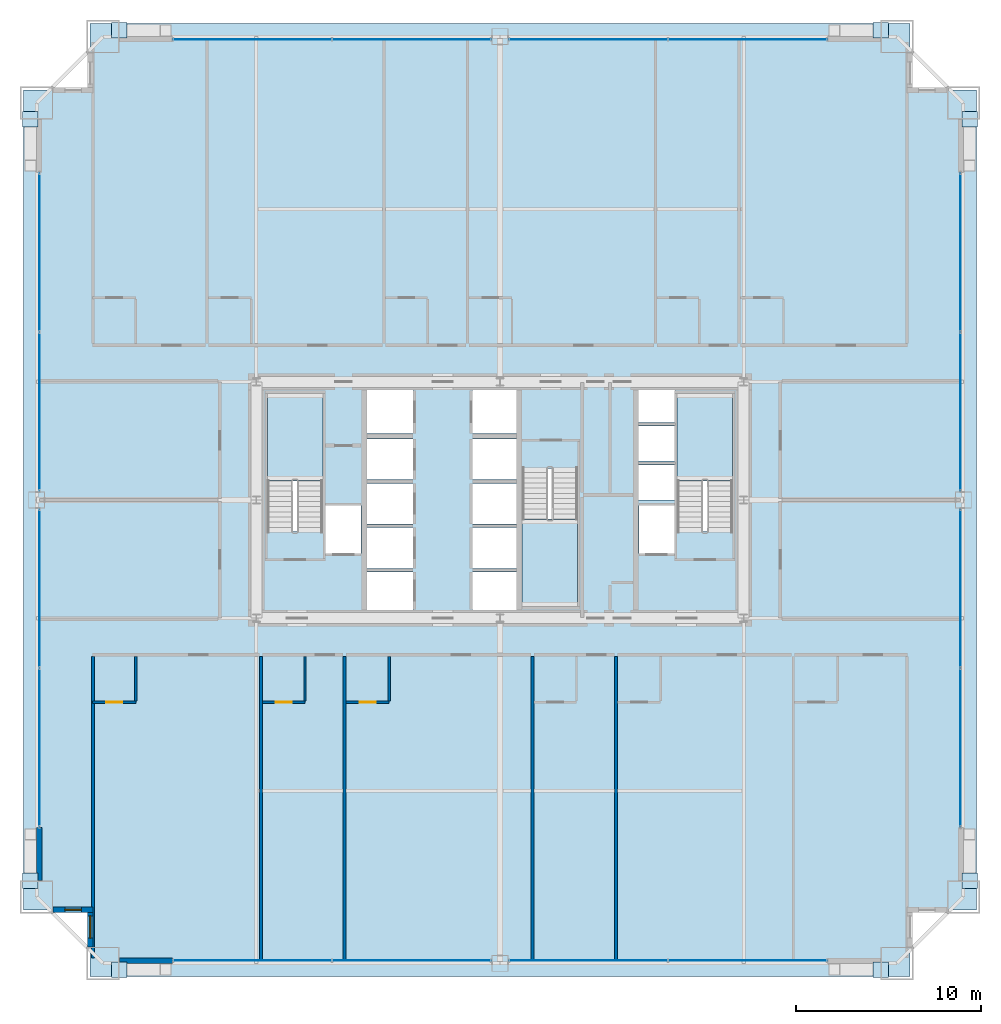
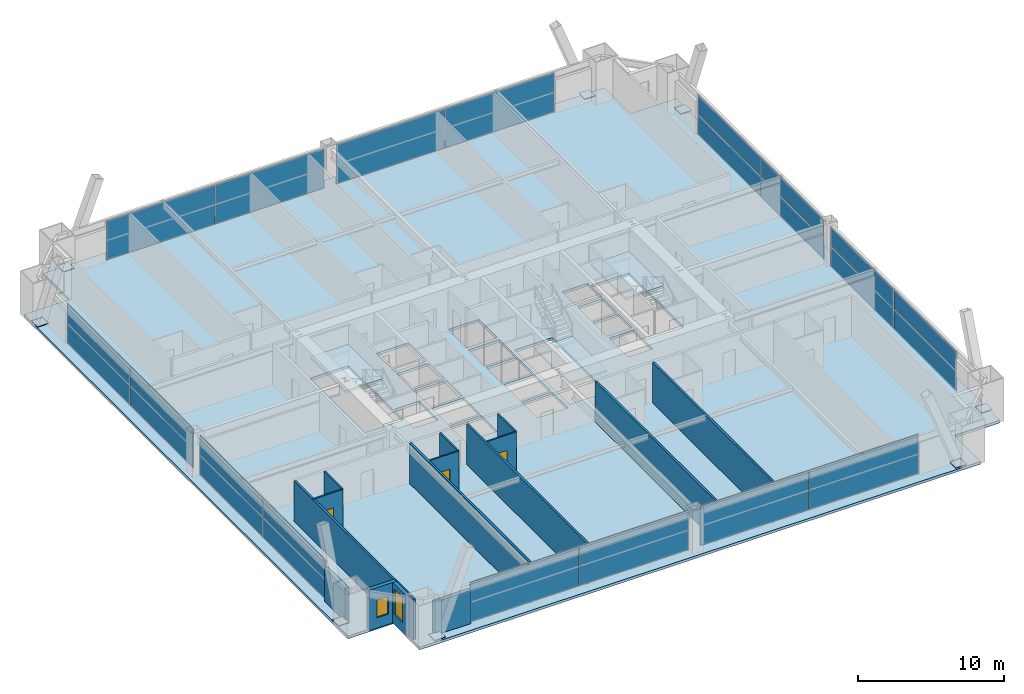
# One storey, part 38 of 43: 24 plates, 15 walls, 4 slabs, 3 doors, 2 windows, 5 openings, 11 elements without a shape of their own.
"""IFC4 building model written with IfcOpenShell, lengths in metres."""

from ifc_helpers import new_model, si_unit, direction, frame, frame_2d, origin, origin_2d, place, context, subcontext, project, spatial, polyline, rectangle, outline, extrude, source, transform, mapped, material, layer, layer_set, type_object, element, fill, aggregate, save


model = new_model("IFC4")

# Units and contexts
model_context = context("Model", 3, precision=1e-05, world=origin(), true_north=direction((0.0, 1.0)))
body_context = subcontext(model_context, "Body", "Model", "MODEL_VIEW")
ifc_project = project(units=[si_unit("LENGTHUNIT", "METRE"), si_unit("AREAUNIT", "SQUARE_METRE"), si_unit("VOLUMEUNIT", "CUBIC_METRE"), si_unit("PLANEANGLEUNIT", "RADIAN"), si_unit("MASSUNIT", "GRAM", prefix="KILO"), si_unit("THERMODYNAMICTEMPERATUREUNIT", "KELVIN"), si_unit("POWERUNIT", "WATT")], contexts=[model_context])

# Site, building, storey
site_placement = place(None, origin())
site = spatial("IfcSite", under=ifc_project, at=site_placement, CompositionType="ELEMENT")
building_placement = place(site_placement, origin())
building = spatial("IfcBuilding", under=site, at=building_placement, Name="Yuzanri Waterfront Tower", CompositionType="ELEMENT")
storey_placement = place(building_placement, frame((0.0, 0.0, 74.800048828125)))
storey = spatial("IfcBuildingStorey", under=building, at=storey_placement, Name="L19", CompositionType="ELEMENT", Elevation=74.800048828125)

# Stair, slab
ifc_material_1 = material(Name="Concrete C40", Category="concrete")
stair_type = type_object("IfcStairType", Name="Concrete C40 Core Dogleg Exit Stair", PredefinedType="HALF_TURN_STAIR", material=ifc_material_1)
stair_1_placement = place(storey_placement, origin())
stair_1 = element("IfcStair", 1, at=stair_1_placement, inside=storey, type_object=stair_type, Name="L19 Smoke-Proof Core Stair ST-01", PredefinedType="HALF_TURN_STAIR")
ifc_material_2 = material(Name="Concrete C40", Category="concrete")
ifc_layer_1 = layer(ifc_material_2, 0.179931640625)
ifc_layer_set_1 = layer_set([ifc_layer_1], Name="Concrete C40")
slab_type_1 = type_object("IfcSlabType", Name="Concrete C40 Stair Half-Landing Slab 180", PredefinedType="LANDING", material=ifc_layer_set_1)
slab_1_placement = place(storey_placement, frame((0.0, 0.0, 1.599853515625)))
slab_1 = element("IfcSlab", 2, at=slab_1_placement, type_object=slab_type_1, Name="ST-01 landing 1", PredefinedType="LANDING", context=body_context, shape_type="SweptSolid", body=[
    extrude(outline(polyline([(27.39990234375, 26.840087890625), (27.39990234375, 31.580078125), (24.39990234375, 31.580078125), (24.39990234375, 26.840087890625), (27.39990234375, 26.840087890625)])), origin(), (0.0, 0.0, 1.0), 0.2001953125),
])
aggregate(stair_1, [slab_1])

stair_2_placement = place(storey_placement, origin())
stair_2 = element("IfcStair", 3, at=stair_2_placement, inside=storey, type_object=stair_type, Name="L19 Smoke-Proof Core Stair ST-02", PredefinedType="HALF_TURN_STAIR")
slab_2_placement = place(storey_placement, frame((0.0, 0.0, 1.599853515625)))
slab_2 = element("IfcSlab", 4, at=slab_2_placement, type_object=slab_type_1, Name="ST-02 landing 1", PredefinedType="LANDING", context=body_context, shape_type="SweptSolid", body=[
    extrude(outline(polyline([(49.60009765625, 26.840087890625), (49.60009765625, 31.580078125), (46.60009765625, 31.580078125), (46.60009765625, 26.840087890625), (49.60009765625, 26.840087890625)])), origin(), (0.0, 0.0, 1.0), 0.2001953125),
])
aggregate(stair_2, [slab_2])

stair_3_placement = place(storey_placement, origin())
stair_3 = element("IfcStair", 5, at=stair_3_placement, inside=storey, type_object=stair_type, Name="L19 Smoke-Proof Core Stair ST-03", PredefinedType="HALF_TURN_STAIR")
slab_3_placement = place(storey_placement, frame((0.0, 0.0, 1.599853515625)))
slab_3 = element("IfcSlab", 6, at=slab_3_placement, type_object=slab_type_1, Name="ST-03 landing 1", PredefinedType="LANDING", context=body_context, shape_type="SweptSolid", body=[
    extrude(outline(polyline([(38.199951171875, 24.760009765625), (38.199951171875, 20.02001953125), (41.199951171875, 20.02001953125), (41.199951171875, 24.760009765625), (38.199951171875, 24.760009765625)])), origin(), (0.0, 0.0, 1.0), 0.2001953125),
])
aggregate(stair_3, [slab_3])

# Slab
ifc_material_3 = material(Name="Concrete C40", Category="concrete")
ifc_layer_2 = layer(ifc_material_3, 0.219970703125)
ifc_layer_set_2 = layer_set([ifc_layer_2], Name="Concrete C40")
slab_type_2 = type_object("IfcSlabType", Name="Concrete C40 Tower Typical Structural Floor Slab 220", PredefinedType="FLOOR", material=ifc_layer_set_2)
slab_4_placement = place(storey_placement, frame((0.0, 0.0, -0.219970703125)))
element("IfcSlab", 7, at=slab_4_placement, inside=storey, type_object=slab_type_2, Name="L19 Main Structural Floor Slab", PredefinedType="FLOOR", context=body_context, shape_type="SweptSolid", body=[
    extrude(outline(polyline([(14.800048828125, 0.0), (59.199951171875, 0.0), (59.199951171875, 3.60009765625), (62.800048828125, 3.60009765625), (62.800048828125, 48.0), (59.199951171875, 48.0), (59.199951171875, 51.60009765625), (14.800048828125, 51.60009765625), (14.800048828125, 48.0), (11.199951171875, 48.0), (11.199951171875, 3.60009765625), (14.800048828125, 3.60009765625), (14.800048828125, 0.0)]), holes=[polyline([(27.39990234375, 24.10009765625), (27.39990234375, 31.580078125), (24.39990234375, 31.580078125), (24.39990234375, 24.10009765625), (27.39990234375, 24.10009765625)]), polyline([(49.60009765625, 24.10009765625), (49.60009765625, 31.580078125), (46.60009765625, 31.580078125), (46.60009765625, 24.10009765625), (49.60009765625, 24.10009765625)]), polyline([(38.199951171875, 27.5), (38.199951171875, 20.02001953125), (41.199951171875, 20.02001953125), (41.199951171875, 27.5), (38.199951171875, 27.5)]), polyline([(27.56005859375, 22.89990234375), (29.47998046875, 22.89990234375), (29.47998046875, 25.5), (27.56005859375, 25.5), (27.56005859375, 22.89990234375)]), polyline([(44.52001953125, 22.89990234375), (46.43994140625, 22.89990234375), (46.43994140625, 25.5), (44.52001953125, 25.5), (44.52001953125, 22.89990234375)]), polyline([(29.800048828125, 19.699951171875), (32.300048828125, 19.699951171875), (32.300048828125, 21.89990234375), (29.800048828125, 21.89990234375), (29.800048828125, 19.699951171875)]), polyline([(29.800048828125, 22.10009765625), (32.300048828125, 22.10009765625), (32.300048828125, 24.300048828125), (29.800048828125, 24.300048828125), (29.800048828125, 22.10009765625)]), polyline([(29.800048828125, 24.5), (32.300048828125, 24.5), (32.300048828125, 26.699951171875), (29.800048828125, 26.699951171875), (29.800048828125, 24.5)]), polyline([(29.800048828125, 26.89990234375), (32.300048828125, 26.89990234375), (32.300048828125, 29.10009765625), (29.800048828125, 29.10009765625), (29.800048828125, 26.89990234375)]), polyline([(29.800048828125, 29.39990234375), (32.300048828125, 29.39990234375), (32.300048828125, 31.89990234375), (29.800048828125, 31.89990234375), (29.800048828125, 29.39990234375)]), polyline([(35.5, 19.699951171875), (37.89990234375, 19.699951171875), (37.89990234375, 21.89990234375), (35.5, 21.89990234375), (35.5, 19.699951171875)]), polyline([(35.5, 22.10009765625), (37.89990234375, 22.10009765625), (37.89990234375, 24.300048828125), (35.5, 24.300048828125), (35.5, 22.10009765625)]), polyline([(35.5, 24.5), (37.89990234375, 24.5), (37.89990234375, 26.699951171875), (35.5, 26.699951171875), (35.5, 24.5)]), polyline([(35.5, 26.89990234375), (37.89990234375, 26.89990234375), (37.89990234375, 29.10009765625), (35.5, 29.10009765625), (35.5, 26.89990234375)]), polyline([(35.5, 29.39990234375), (37.89990234375, 29.39990234375), (37.89990234375, 31.89990234375), (35.5, 31.89990234375), (35.5, 29.39990234375)]), polyline([(44.5, 25.800048828125), (46.5, 25.800048828125), (46.5, 27.699951171875), (44.5, 27.699951171875), (44.5, 25.800048828125)]), polyline([(44.5, 27.89990234375), (46.5, 27.89990234375), (46.5, 29.800048828125), (44.5, 29.800048828125), (44.5, 27.89990234375)]), polyline([(44.5, 30.0), (46.5, 30.0), (46.5, 31.89990234375), (44.5, 31.89990234375), (44.5, 30.0)])]), origin(), (0.0, 0.0, 1.0), 0.219970703125),
])

# Plates
ifc_material_4 = material(Name="Steel Q420GJC", Category="steel")
ifc_layer_3 = layer(ifc_material_4, 0.0400390625)
ifc_layer_set_3 = layer_set([ifc_layer_3], Name="Steel Q420GJC")
plate_type_1 = type_object("IfcPlateType", Name="Steel Q420GJC Mega-Brace Gusset and End-Cap Plate 40", PredefinedType="SHEET", material=ifc_layer_set_3)
shared_shape_1 = source(origin(), body_context, "Body", "SweptSolid", [
    extrude(rectangle(XDim=0.85009765625, YDim=0.85009765625, at=origin_2d()), origin(), (0.0, 0.0, 1.0), 0.0400390625),
])
for number, where, z_axis, x_axis, name in (
    (8, (16.3798828125, 0.360107421875, 0.159912109375), (0.0, 0.0, 1.0), (1.0, 0.0, 0.0), "L19 Mega-Brace Foot Cap Plate S-L"),
    (9, (57.6201171875, 0.360107421875, 0.159912109375), (0.0, 0.0, 1.0), (1.0, 0.0, 0.0), "L19 Mega-Brace Foot Cap Plate S-R"),
    (10, (16.3798828125, 51.239990234375, 0.159912109375), (0.0, 0.0, 1.0), (1.0, 0.0, 0.0), "L19 Mega-Brace Foot Cap Plate N-L"),
    (11, (57.6201171875, 51.239990234375, 0.159912109375), (0.0, 0.0, 1.0), (1.0, 0.0, 0.0), "L19 Mega-Brace Foot Cap Plate N-R"),
    (12, (11.56005859375, 5.179931640625, 0.159912109375), (0.0, 0.0, 1.0), (1.0, 0.0, 0.0), "L19 Mega-Brace Foot Cap Plate W-L"),
    (13, (11.56005859375, 46.419921875, 0.159912109375), (0.0, 0.0, 1.0), (1.0, 0.0, 0.0), "L19 Mega-Brace Foot Cap Plate W-R"),
    (14, (62.43994140625, 5.179931640625, 0.159912109375), (0.0, 0.0, 1.0), (1.0, 0.0, 0.0), "L19 Mega-Brace Foot Cap Plate E-L"),
    (15, (62.43994140625, 46.419921875, 0.159912109375), (0.0, 0.0, 1.0), (1.0, 0.0, 0.0), "L19 Mega-Brace Foot Cap Plate E-R"),
):
    element("IfcPlate", number, at=place(storey_placement, frame(where, z_axis=z_axis, x_axis=x_axis)), inside=storey, type_object=plate_type_1, Name=name, PredefinedType="SHEET", context=body_context, shape_type="MappedRepresentation", body=[
        mapped(shared_shape_1, transform((0.0, 0.0, 0.0), scale=1.0)),
    ])

# Curtain wall, plates
ifc_material_5 = material(Name="Anodized Architectural Bronze", Category="metal")
ifc_layer_4 = layer(ifc_material_5, 0.159912109375)
ifc_layer_set_4 = layer_set([ifc_layer_4], Name="Anodized Architectural Bronze")
curtain_wall_type = type_object("IfcCurtainWallType", Name="Anodized Bronze Hotel Lower-Tier Recessed Unitized Curtain Wall 8100", PredefinedType="NOTDEFINED", material=ifc_layer_set_4)
curtain_wall_1_placement = place(storey_placement, origin())
curtain_wall_1 = element("IfcCurtainWall", 16, at=curtain_wall_1_placement, inside=storey, type_object=curtain_wall_type, Name="L19 Curtain Wall CW-L19-SL", PredefinedType="NOTDEFINED")
ifc_material_6 = material(Name="Double-Silver Low-E Insulated Glass", Category="glass")
ifc_layer_5 = layer(ifc_material_6, 0.035888671875)
ifc_layer_set_5 = layer_set([ifc_layer_5], Name="Double-Silver Low-E Insulated Glass")
plate_type_2 = type_object("IfcPlateType", Name="Double Silver Low-E Insulated Vision Glass Panel 36", PredefinedType="CURTAIN_PANEL", material=ifc_layer_set_5)
shared_shape_2 = source(origin(), body_context, "Body", "SweptSolid", [
    extrude(rectangle(XDim=8.570068359375, YDim=0.035888671875, at=origin_2d()), origin(), (0.0, 0.0, 1.0), 3.280029296875),
])
plate_1_placement = place(storey_placement, frame((23.574951171875, 0.85009765625, 0.0498046875), z_axis=(0.0, 0.0, 1.0), x_axis=(1.0, 0.0, 0.0)))
plate_1 = element("IfcPlate", 17, at=plate_1_placement, type_object=plate_type_2, Name="CW-L19-SL Vision Glass Panel 01", PredefinedType="CURTAIN_PANEL", context=body_context, shape_type="MappedRepresentation", body=[
    mapped(shared_shape_2, transform((0.0, 0.0, 0.0), scale=1.0)),
])
plate_2_placement = place(storey_placement, frame((32.22509765625, 0.85009765625, 0.0498046875), z_axis=(0.0, 0.0, 1.0), x_axis=(1.0, 0.0, 0.0)))
plate_2 = element("IfcPlate", 18, at=plate_2_placement, type_object=plate_type_2, Name="CW-L19-SL Vision Glass Panel 02", PredefinedType="CURTAIN_PANEL", context=body_context, shape_type="MappedRepresentation", body=[
    mapped(shared_shape_2, transform((0.0, 0.0, 0.0), scale=1.0)),
])
aggregate(curtain_wall_1, [plate_1, plate_2])

curtain_wall_2_placement = place(storey_placement, origin())
curtain_wall_2 = element("IfcCurtainWall", 19, at=curtain_wall_2_placement, inside=storey, type_object=curtain_wall_type, Name="L19 Curtain Wall CW-L19-SR", PredefinedType="NOTDEFINED")
plate_3_placement = place(storey_placement, frame((41.77490234375, 0.85009765625, 0.0498046875), z_axis=(0.0, 0.0, 1.0), x_axis=(1.0, 0.0, 0.0)))
plate_3 = element("IfcPlate", 20, at=plate_3_placement, type_object=plate_type_2, Name="CW-L19-SR Vision Glass Panel 01", PredefinedType="CURTAIN_PANEL", context=body_context, shape_type="MappedRepresentation", body=[
    mapped(shared_shape_2, transform((0.0, 0.0, 0.0), scale=1.0)),
])
plate_4_placement = place(storey_placement, frame((50.425048828125, 0.85009765625, 0.0498046875), z_axis=(0.0, 0.0, 1.0), x_axis=(1.0, 0.0, 0.0)))
plate_4 = element("IfcPlate", 21, at=plate_4_placement, type_object=plate_type_2, Name="CW-L19-SR Vision Glass Panel 02", PredefinedType="CURTAIN_PANEL", context=body_context, shape_type="MappedRepresentation", body=[
    mapped(shared_shape_2, transform((0.0, 0.0, 0.0), scale=1.0)),
])
aggregate(curtain_wall_2, [plate_3, plate_4])

curtain_wall_3_placement = place(storey_placement, origin())
curtain_wall_3 = element("IfcCurtainWall", 22, at=curtain_wall_3_placement, inside=storey, type_object=curtain_wall_type, Name="L19 Curtain Wall CW-L19-NL", PredefinedType="NOTDEFINED")
plate_5_placement = place(storey_placement, frame((23.574951171875, 50.75, 0.0498046875), z_axis=(0.0, 0.0, 1.0), x_axis=(1.0, 0.0, 0.0)))
plate_5 = element("IfcPlate", 23, at=plate_5_placement, type_object=plate_type_2, Name="CW-L19-NL Vision Glass Panel 01", PredefinedType="CURTAIN_PANEL", context=body_context, shape_type="MappedRepresentation", body=[
    mapped(shared_shape_2, transform((0.0, 0.0, 0.0), scale=1.0)),
])
plate_6_placement = place(storey_placement, frame((32.22509765625, 50.75, 0.0498046875), z_axis=(0.0, 0.0, 1.0), x_axis=(1.0, 0.0, 0.0)))
plate_6 = element("IfcPlate", 24, at=plate_6_placement, type_object=plate_type_2, Name="CW-L19-NL Vision Glass Panel 02", PredefinedType="CURTAIN_PANEL", context=body_context, shape_type="MappedRepresentation", body=[
    mapped(shared_shape_2, transform((0.0, 0.0, 0.0), scale=1.0)),
])
aggregate(curtain_wall_3, [plate_5, plate_6])

curtain_wall_4_placement = place(storey_placement, origin())
curtain_wall_4 = element("IfcCurtainWall", 25, at=curtain_wall_4_placement, inside=storey, type_object=curtain_wall_type, Name="L19 Curtain Wall CW-L19-NR", PredefinedType="NOTDEFINED")
plate_7_placement = place(storey_placement, frame((41.77490234375, 50.75, 0.0498046875), z_axis=(0.0, 0.0, 1.0), x_axis=(1.0, 0.0, 0.0)))
plate_7 = element("IfcPlate", 26, at=plate_7_placement, type_object=plate_type_2, Name="CW-L19-NR Vision Glass Panel 01", PredefinedType="CURTAIN_PANEL", context=body_context, shape_type="MappedRepresentation", body=[
    mapped(shared_shape_2, transform((0.0, 0.0, 0.0), scale=1.0)),
])
plate_8_placement = place(storey_placement, frame((50.425048828125, 50.75, 0.0498046875), z_axis=(0.0, 0.0, 1.0), x_axis=(1.0, 0.0, 0.0)))
plate_8 = element("IfcPlate", 27, at=plate_8_placement, type_object=plate_type_2, Name="CW-L19-NR Vision Glass Panel 02", PredefinedType="CURTAIN_PANEL", context=body_context, shape_type="MappedRepresentation", body=[
    mapped(shared_shape_2, transform((0.0, 0.0, 0.0), scale=1.0)),
])
aggregate(curtain_wall_4, [plate_7, plate_8])

curtain_wall_5_placement = place(storey_placement, origin())
curtain_wall_5 = element("IfcCurtainWall", 28, at=curtain_wall_5_placement, inside=storey, type_object=curtain_wall_type, Name="L19 Curtain Wall CW-L19-WL", PredefinedType="NOTDEFINED")
plate_9_placement = place(storey_placement, frame((12.050048828125, 12.375, 0.0498046875), z_axis=(0.0, 0.0, 1.0), x_axis=(0.0, 1.0, 0.0)))
plate_9 = element("IfcPlate", 29, at=plate_9_placement, type_object=plate_type_2, Name="CW-L19-WL Vision Glass Panel 01", PredefinedType="CURTAIN_PANEL", context=body_context, shape_type="MappedRepresentation", body=[
    mapped(shared_shape_2, transform((0.0, 0.0, 0.0), scale=1.0)),
])
plate_10_placement = place(storey_placement, frame((12.050048828125, 21.02490234375, 0.0498046875), z_axis=(0.0, 0.0, 1.0), x_axis=(0.0, 1.0, 0.0)))
plate_10 = element("IfcPlate", 30, at=plate_10_placement, type_object=plate_type_2, Name="CW-L19-WL Vision Glass Panel 02", PredefinedType="CURTAIN_PANEL", context=body_context, shape_type="MappedRepresentation", body=[
    mapped(shared_shape_2, transform((0.0, 0.0, 0.0), scale=1.0)),
])
aggregate(curtain_wall_5, [plate_9, plate_10])

curtain_wall_6_placement = place(storey_placement, origin())
curtain_wall_6 = element("IfcCurtainWall", 31, at=curtain_wall_6_placement, inside=storey, type_object=curtain_wall_type, Name="L19 Curtain Wall CW-L19-WR", PredefinedType="NOTDEFINED")
plate_11_placement = place(storey_placement, frame((12.050048828125, 30.574951171875, 0.0498046875), z_axis=(0.0, 0.0, 1.0), x_axis=(0.0, 1.0, 0.0)))
plate_11 = element("IfcPlate", 32, at=plate_11_placement, type_object=plate_type_2, Name="CW-L19-WR Vision Glass Panel 01", PredefinedType="CURTAIN_PANEL", context=body_context, shape_type="MappedRepresentation", body=[
    mapped(shared_shape_2, transform((0.0, 0.0, 0.0), scale=1.0)),
])
plate_12_placement = place(storey_placement, frame((12.050048828125, 39.22509765625, 0.0498046875), z_axis=(0.0, 0.0, 1.0), x_axis=(0.0, 1.0, 0.0)))
plate_12 = element("IfcPlate", 33, at=plate_12_placement, type_object=plate_type_2, Name="CW-L19-WR Vision Glass Panel 02", PredefinedType="CURTAIN_PANEL", context=body_context, shape_type="MappedRepresentation", body=[
    mapped(shared_shape_2, transform((0.0, 0.0, 0.0), scale=1.0)),
])
aggregate(curtain_wall_6, [plate_11, plate_12])

curtain_wall_7_placement = place(storey_placement, origin())
curtain_wall_7 = element("IfcCurtainWall", 34, at=curtain_wall_7_placement, inside=storey, type_object=curtain_wall_type, Name="L19 Curtain Wall CW-L19-EL", PredefinedType="NOTDEFINED")
plate_13_placement = place(storey_placement, frame((61.949951171875, 12.375, 0.0498046875), z_axis=(0.0, 0.0, 1.0), x_axis=(0.0, 1.0, 0.0)))
plate_13 = element("IfcPlate", 35, at=plate_13_placement, type_object=plate_type_2, Name="CW-L19-EL Vision Glass Panel 01", PredefinedType="CURTAIN_PANEL", context=body_context, shape_type="MappedRepresentation", body=[
    mapped(shared_shape_2, transform((0.0, 0.0, 0.0), scale=1.0)),
])
plate_14_placement = place(storey_placement, frame((61.949951171875, 21.02490234375, 0.0498046875), z_axis=(0.0, 0.0, 1.0), x_axis=(0.0, 1.0, 0.0)))
plate_14 = element("IfcPlate", 36, at=plate_14_placement, type_object=plate_type_2, Name="CW-L19-EL Vision Glass Panel 02", PredefinedType="CURTAIN_PANEL", context=body_context, shape_type="MappedRepresentation", body=[
    mapped(shared_shape_2, transform((0.0, 0.0, 0.0), scale=1.0)),
])
aggregate(curtain_wall_7, [plate_13, plate_14])

curtain_wall_8_placement = place(storey_placement, origin())
curtain_wall_8 = element("IfcCurtainWall", 37, at=curtain_wall_8_placement, inside=storey, type_object=curtain_wall_type, Name="L19 Curtain Wall CW-L19-ER", PredefinedType="NOTDEFINED")
plate_15_placement = place(storey_placement, frame((61.949951171875, 30.574951171875, 0.0498046875), z_axis=(0.0, 0.0, 1.0), x_axis=(0.0, 1.0, 0.0)))
plate_15 = element("IfcPlate", 38, at=plate_15_placement, type_object=plate_type_2, Name="CW-L19-ER Vision Glass Panel 01", PredefinedType="CURTAIN_PANEL", context=body_context, shape_type="MappedRepresentation", body=[
    mapped(shared_shape_2, transform((0.0, 0.0, 0.0), scale=1.0)),
])
plate_16_placement = place(storey_placement, frame((61.949951171875, 39.22509765625, 0.0498046875), z_axis=(0.0, 0.0, 1.0), x_axis=(0.0, 1.0, 0.0)))
plate_16 = element("IfcPlate", 39, at=plate_16_placement, type_object=plate_type_2, Name="CW-L19-ER Vision Glass Panel 02", PredefinedType="CURTAIN_PANEL", context=body_context, shape_type="MappedRepresentation", body=[
    mapped(shared_shape_2, transform((0.0, 0.0, 0.0), scale=1.0)),
])
aggregate(curtain_wall_8, [plate_15, plate_16])

# Wall, opening, door
ifc_material_7 = material(Name="Moisture-Resistant Gypsum Stud Wall", Category="gypsum")
ifc_layer_6 = layer(ifc_material_7, 0.1201171875)
ifc_layer_set_6 = layer_set([ifc_layer_6], Name="Moisture-Resistant Gypsum Stud Wall")
wall_type_1 = type_object("IfcWallType", Name="Bathroom and Kitchen Wet Partition 120", PredefinedType="PARTITIONING", material=ifc_layer_set_6)
wall_1_placement = place(storey_placement, frame((14.93994140625, 14.840087890625, 0.0), z_axis=(0.0, 0.0, 1.0), x_axis=(1.0, 0.0, 0.0)))
wall_1 = element("IfcWall", 40, at=wall_1_placement, inside=storey, type_object=wall_type_1, Name="L19 Partition UW-L19-S1-BS", PredefinedType="PARTITIONING", context=body_context, shape_type="SweptSolid", body=[
    extrude(rectangle(XDim=2.330078125, YDim=0.1201171875, at=frame_2d((1.1650390625, 0.0))), origin(), (0.0, 0.0, 1.0), 3.3798828125),
])
opening_1_placement = place(wall_1_placement, frame((0.739990234375, 0.0, 0.0)))
opening_1 = element("IfcOpeningElement", 41, at=opening_1_placement, cuts=wall_1, Name="Opening ID-0850", PredefinedType="OPENING", context=body_context, shape_type="SweptSolid", body=[
    extrude(rectangle(XDim=0.85009765625, YDim=2.10009765625, at=frame_2d((0.425048828125, 1.050048828125))), frame((0.0, 0.074951171875, 0.0), z_axis=(0.0, -1.0, 0.0), x_axis=(1.0, 0.0, 0.0)), (0.0, 0.0, 1.0), 0.14990234375),
])
ifc_material_8 = material(Name="Moisture-Resistant Lacquered Timber", Category="wood")
door_type = type_object("IfcDoorType", Name="En-Suite Bathroom and Kitchen Swing Door 850x2100", OperationType="NOTDEFINED", PredefinedType="DOOR", material=ifc_material_8)
shared_shape_3 = source(origin(), body_context, "Body", "SweptSolid", [
    extrude(rectangle(XDim=0.85009765625, YDim=2.10009765625, at=frame_2d((0.425048828125, 1.050048828125))), frame((0.0, 0.02490234375, 0.0), z_axis=(0.0, -1.0, 0.0), x_axis=(1.0, 0.0, 0.0)), (0.0, 0.0, 1.0), 0.050048828125),
])
door_1_placement = place(opening_1_placement, origin())
door_1 = element("IfcDoor", 42, at=door_1_placement, inside=storey, type_object=door_type, Name="L19 Guest En-Suite Door", OperationType="SINGLE_SWING_LEFT", OverallHeight=2.10009765625, OverallWidth=0.85009765625, PredefinedType="DOOR", context=body_context, shape_type="MappedRepresentation", body=[
    mapped(shared_shape_3, transform((0.0, 0.0, 0.0), scale=1.0)),
])
fill(opening_1, door_1)

wall_2_placement = place(storey_placement, frame((24.137939453125, 14.840087890625, 0.0), z_axis=(0.0, 0.0, 1.0), x_axis=(1.0, 0.0, 0.0)))
wall_2 = element("IfcWall", 43, at=wall_2_placement, inside=storey, type_object=wall_type_1, Name="L19 Partition UW-L19-S2-BS", PredefinedType="PARTITIONING", context=body_context, shape_type="SweptSolid", body=[
    extrude(rectangle(XDim=2.300048828125, YDim=0.1201171875, at=frame_2d((1.14990234375, 0.0))), origin(), (0.0, 0.0, 1.0), 3.3798828125),
])
opening_2_placement = place(wall_2_placement, frame((0.72509765625, 0.0, 0.0)))
opening_2 = element("IfcOpeningElement", 44, at=opening_2_placement, cuts=wall_2, Name="Opening ID-0850", PredefinedType="OPENING", context=body_context, shape_type="SweptSolid", body=[
    extrude(rectangle(XDim=0.85009765625, YDim=2.10009765625, at=frame_2d((0.425048828125, 1.050048828125))), frame((0.0, 0.074951171875, 0.0), z_axis=(0.0, -1.0, 0.0), x_axis=(1.0, 0.0, 0.0)), (0.0, 0.0, 1.0), 0.14990234375),
])
door_2_placement = place(opening_2_placement, origin())
door_2 = element("IfcDoor", 45, at=door_2_placement, inside=storey, type_object=door_type, Name="L19 Guest En-Suite Door", OperationType="SINGLE_SWING_LEFT", OverallHeight=2.10009765625, OverallWidth=0.85009765625, PredefinedType="DOOR", context=body_context, shape_type="MappedRepresentation", body=[
    mapped(shared_shape_3, transform((0.0, 0.0, 0.0), scale=1.0)),
])
fill(opening_2, door_2)

wall_3_placement = place(storey_placement, frame((28.66796875, 14.840087890625, 0.0), z_axis=(0.0, 0.0, 1.0), x_axis=(1.0, 0.0, 0.0)))
wall_3 = element("IfcWall", 46, at=wall_3_placement, inside=storey, type_object=wall_type_1, Name="L19 Partition UW-L19-S3-BS", PredefinedType="PARTITIONING", context=body_context, shape_type="SweptSolid", body=[
    extrude(rectangle(XDim=2.330078125, YDim=0.1201171875, at=frame_2d((1.1650390625, 0.0))), origin(), (0.0, 0.0, 1.0), 3.3798828125),
])
opening_3_placement = place(wall_3_placement, frame((0.739990234375, 0.0, 0.0)))
opening_3 = element("IfcOpeningElement", 47, at=opening_3_placement, cuts=wall_3, Name="Opening ID-0850", PredefinedType="OPENING", context=body_context, shape_type="SweptSolid", body=[
    extrude(rectangle(XDim=0.85009765625, YDim=2.10009765625, at=frame_2d((0.425048828125, 1.050048828125))), frame((0.0, 0.074951171875, 0.0), z_axis=(0.0, -1.0, 0.0), x_axis=(1.0, 0.0, 0.0)), (0.0, 0.0, 1.0), 0.14990234375),
])
door_3_placement = place(opening_3_placement, origin())
door_3 = element("IfcDoor", 48, at=door_3_placement, inside=storey, type_object=door_type, Name="L19 Guest En-Suite Door", OperationType="SINGLE_SWING_LEFT", OverallHeight=2.10009765625, OverallWidth=0.85009765625, PredefinedType="DOOR", context=body_context, shape_type="MappedRepresentation", body=[
    mapped(shared_shape_3, transform((0.0, 0.0, 0.0), scale=1.0)),
])
fill(opening_3, door_3)

# Wall, opening, window
ifc_material_9 = material(Name="Honed Chongqing Dark Basalt Stone", Category="masonry")
ifc_layer_7 = layer(ifc_material_9, 0.300048828125)
ifc_layer_set_7 = layer_set([ifc_layer_7], Name="Honed Chongqing Dark Basalt Stone")
wall_type_2 = type_object("IfcWallType", Name="Bronze Rainscreen Insulated Spandrel Portal Wall 300", PredefinedType="SOLIDWALL", material=ifc_layer_set_7)
wall_4_placement = place(storey_placement, frame((12.800048828125, 3.60009765625, 0.0), z_axis=(0.0, 0.0, 1.0), x_axis=(1.0, 0.0, 0.0)))
wall_4 = element("IfcWall", 49, at=wall_4_placement, inside=storey, type_object=wall_type_2, Name="L19 Notched Corner Masonry Wall SW-X", PredefinedType="SOLIDWALL", context=body_context, shape_type="SweptSolid", body=[
    extrude(rectangle(XDim=2.14990234375, YDim=0.300048828125, at=frame_2d((1.074951171875, 0.0))), origin(), (0.0, 0.0, 1.0), 3.3798828125),
])
opening_4_placement = place(wall_4_placement, frame((0.625, 0.0, 0.85009765625)))
opening_4 = element("IfcOpeningElement", 50, at=opening_4_placement, cuts=wall_4, Name="Opening WN-05", PredefinedType="OPENING", context=body_context, shape_type="SweptSolid", body=[
    extrude(rectangle(XDim=0.89990234375, YDim=1.5, at=frame_2d((0.449951171875, 0.75))), frame((0.0, 0.1650390625, 0.0), z_axis=(0.0, -1.0, 0.0), x_axis=(1.0, 0.0, 0.0)), (0.0, 0.0, 1.0), 0.329833984375),
])
ifc_material_10 = material(Name="Double-Silver Low-E Insulated Glass", Category="glass")
window_type_1 = type_object("IfcWindowType", Name="Anodized Bronze Service and Stairwell Smoke-Vent Window 900x1500", PartitioningType="SINGLE_PANEL", PredefinedType="WINDOW", material=ifc_material_10)
shared_shape_4 = source(origin(), body_context, "Body", "SweptSolid", [
    extrude(rectangle(XDim=0.89990234375, YDim=1.5, at=frame_2d((0.449951171875, 0.75))), frame((0.0, 0.030029296875, 0.0), z_axis=(0.0, -1.0, 0.0), x_axis=(1.0, 0.0, 0.0)), (0.0, 0.0, 1.0), 0.06005859375),
])
window_1_placement = place(opening_4_placement, origin())
window_1 = element("IfcWindow", 51, at=window_1_placement, inside=storey, type_object=window_type_1, Name="L19 Notched Corner Window SW-X", OverallHeight=1.5, OverallWidth=0.89990234375, PartitioningType="SINGLE_PANEL", PredefinedType="WINDOW", context=body_context, shape_type="MappedRepresentation", body=[
    mapped(shared_shape_4, transform((0.0, 0.0, 0.0), scale=1.0)),
])
fill(opening_4, window_1)

wall_5_placement = place(storey_placement, frame((14.800048828125, 3.75, 0.0), z_axis=(0.0, 0.0, 1.0), x_axis=(0.0, -1.0, 0.0)))
wall_5 = element("IfcWall", 52, at=wall_5_placement, inside=storey, type_object=wall_type_2, Name="L19 Notched Corner Masonry Wall SW-Y", PredefinedType="SOLIDWALL", context=body_context, shape_type="SweptSolid", body=[
    extrude(rectangle(XDim=2.14990234375, YDim=0.300048828125, at=frame_2d((1.074951171875, 0.0))), origin(), (0.0, 0.0, 1.0), 3.3798828125),
])
opening_5_placement = place(wall_5_placement, frame((0.47509765625, 0.0, 0.85009765625)))
opening_5 = element("IfcOpeningElement", 53, at=opening_5_placement, cuts=wall_5, Name="Opening WN-02", PredefinedType="OPENING", context=body_context, shape_type="SweptSolid", body=[
    extrude(rectangle(XDim=1.199951171875, YDim=2.10009765625, at=frame_2d((0.60009765625, 1.050048828125))), frame((0.0, 0.1650390625, 0.0), z_axis=(0.0, -1.0, 0.0), x_axis=(1.0, 0.0, 0.0)), (0.0, 0.0, 1.0), 0.329833984375),
])
ifc_material_11 = material(Name="Double-Silver Low-E Insulated Glass", Category="glass")
window_type_2 = type_object("IfcWindowType", Name="Anodized Bronze Notched Corner Deep-Set Slot Window 1200x2100", PartitioningType="SINGLE_PANEL", PredefinedType="WINDOW", material=ifc_material_11)
shared_shape_5 = source(origin(), body_context, "Body", "SweptSolid", [
    extrude(rectangle(XDim=1.199951171875, YDim=2.10009765625, at=frame_2d((0.60009765625, 1.050048828125))), frame((0.0, 0.030029296875, 0.0), z_axis=(0.0, -1.0, 0.0), x_axis=(1.0, 0.0, 0.0)), (0.0, 0.0, 1.0), 0.06005859375),
])
window_2_placement = place(opening_5_placement, origin())
window_2 = element("IfcWindow", 54, at=window_2_placement, inside=storey, type_object=window_type_2, Name="L19 Notched Corner Window SW-Y", OverallHeight=2.10009765625, OverallWidth=1.199951171875, PartitioningType="SINGLE_PANEL", PredefinedType="WINDOW", context=body_context, shape_type="MappedRepresentation", body=[
    mapped(shared_shape_5, transform((0.0, 0.0, 0.0), scale=1.0)),
])
fill(opening_5, window_2)

# Walls
shared_shape_6 = source(origin(), body_context, "Body", "SweptSolid", [
    extrude(rectangle(XDim=2.85009765625, YDim=0.300048828125, at=frame_2d((1.425048828125, 0.0))), origin(), (0.0, 0.0, 1.0), 2.77490234375),
])
for number, where, z_axis, x_axis, name in (
    (55, (16.39990234375, 0.85009765625, 0.0), (0.0, 0.0, 1.0), (1.0, 0.0, 0.0), "L19 S Left Braced Masonry Shoulder"),
    (56, (12.050048828125, 5.199951171875, 0.0), (0.0, 0.0, 1.0), (0.0, 1.0, 0.0), "L19 W Left Braced Masonry Shoulder"),
):
    element("IfcWall", number, at=place(storey_placement, frame(where, z_axis=z_axis, x_axis=x_axis)), inside=storey, type_object=wall_type_2, Name=name, PredefinedType="SOLIDWALL", context=body_context, shape_type="MappedRepresentation", body=[
        mapped(shared_shape_6, transform((0.0, 0.0, 0.0), scale=1.0)),
    ])
ifc_material_12 = material(Name="Gypsum Fireboard Acoustic Stud Wall", Category="gypsum")
ifc_layer_8 = layer(ifc_material_12, 0.159912109375)
ifc_layer_set_8 = layer_set([ifc_layer_8], Name="Gypsum Fireboard Acoustic Stud Wall")
wall_type_3 = type_object("IfcWallType", Name="Acoustic Suite Demising Partition 160", PredefinedType="PARTITIONING", material=ifc_layer_set_8)
shared_shape_7 = source(origin(), body_context, "Body", "SweptSolid", [
    extrude(rectangle(XDim=16.469970703125, YDim=0.159912109375, at=frame_2d((8.23486328125, 0.0))), origin(), (0.0, 0.0, 1.0), 3.3798828125),
])
for number, where, z_axis, x_axis, name in (
    (57, (24.05810546875, 0.85009765625, 0.0), (0.0, 0.0, 1.0), (0.0, 1.0, 0.0), "L19-S1 Party Wall"),
    (58, (28.587890625, 0.85009765625, 0.0), (0.0, 0.0, 1.0), (0.0, 1.0, 0.0), "L19-S2 Party Wall"),
    (59, (38.764892578125, 0.85009765625, 0.0), (0.0, 0.0, 1.0), (0.0, 1.0, 0.0), "L19-S3 Party Wall"),
    (60, (43.2939453125, 0.85009765625, 0.0), (0.0, 0.0, 1.0), (0.0, 1.0, 0.0), "L19-S4 Party Wall"),
):
    element("IfcWall", number, at=place(storey_placement, frame(where, z_axis=z_axis, x_axis=x_axis)), inside=storey, type_object=wall_type_3, Name=name, PredefinedType="PARTITIONING", context=body_context, shape_type="MappedRepresentation", body=[
        mapped(shared_shape_7, transform((0.0, 0.0, 0.0), scale=1.0)),
    ])
shared_shape_8 = source(origin(), body_context, "Body", "SweptSolid", [
    extrude(rectangle(XDim=2.420166015625, YDim=0.1201171875, at=frame_2d((1.2099609375, 0.0))), origin(), (0.0, 0.0, 1.0), 3.3798828125),
])
for number, where, z_axis, x_axis, name in (
    (61, (17.27001953125, 14.89990234375, 0.0), (0.0, 0.0, 1.0), (0.0, 1.0, 0.0), "L19-S1 En-Suite Side Wall"),
    (62, (26.43798828125, 14.89990234375, 0.0), (0.0, 0.0, 1.0), (0.0, 1.0, 0.0), "L19-S2 En-Suite Side Wall"),
    (63, (30.998046875, 14.89990234375, 0.0), (0.0, 0.0, 1.0), (0.0, 1.0, 0.0), "L19-S3 En-Suite Side Wall"),
):
    element("IfcWall", number, at=place(storey_placement, frame(where, z_axis=z_axis, x_axis=x_axis)), inside=storey, type_object=wall_type_1, Name=name, PredefinedType="PARTITIONING", context=body_context, shape_type="MappedRepresentation", body=[
        mapped(shared_shape_8, transform((0.0, 0.0, 0.0), scale=1.0)),
    ])
shared_shape_9 = source(origin(), body_context, "Body", "SweptSolid", [
    extrude(rectangle(XDim=16.320068359375, YDim=0.159912109375, at=frame_2d((8.16015625, 0.0))), origin(), (0.0, 0.0, 1.0), 3.3798828125),
])
wall_6_placement = place(storey_placement, frame((14.949951171875, 1.0, 0.0), z_axis=(0.0, 0.0, 1.0), x_axis=(0.0, 1.0, 0.0)))
element("IfcWall", 64, at=wall_6_placement, inside=storey, type_object=wall_type_3, Name="L19 South Band West End Wall", PredefinedType="PARTITIONING", context=body_context, shape_type="MappedRepresentation", body=[
    mapped(shared_shape_9, transform((0.0, 0.0, 0.0), scale=1.0)),
])

save(model, "model.ifc")
